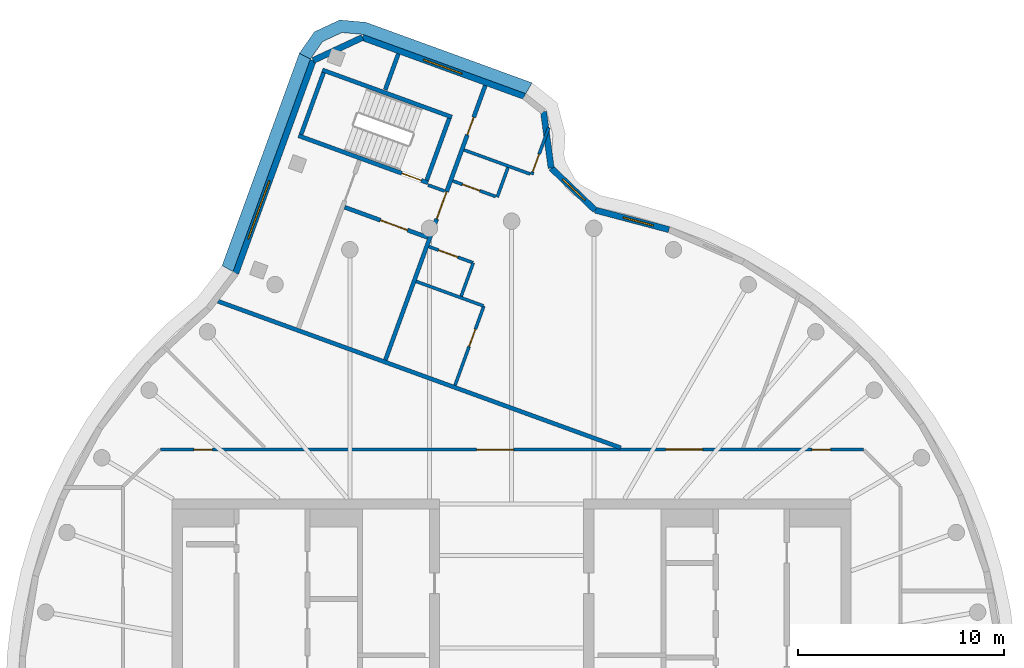
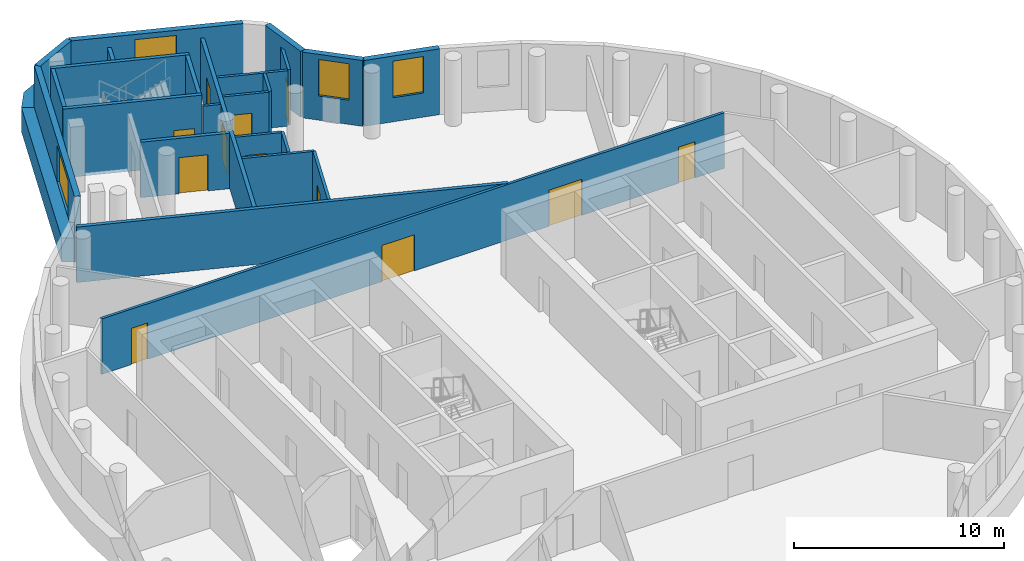
# One storey, part 5 of 7: 25 walls, 12 doors, 4 windows, 2 members, 16 openings.
"""IFC4 building model written with IfcOpenShell, lengths in metres."""

from ifc_helpers import new_model, si_unit, direction, frame, frame_2d, origin, place, context, subcontext, project, spatial, polyline, rectangle, outline, extrude, material, layer, layer_set, type_object, element, fill, aggregate, save


model = new_model("IFC4")

# Units and contexts
model_context = context("Model", 3, precision=1e-05, world=origin(), true_north=direction((0.0, 1.0)))
body_context = subcontext(model_context, "Body", "Model", "MODEL_VIEW")
ifc_project = project(units=[si_unit("LENGTHUNIT", "METRE"), si_unit("AREAUNIT", "SQUARE_METRE"), si_unit("VOLUMEUNIT", "CUBIC_METRE"), si_unit("PLANEANGLEUNIT", "RADIAN"), si_unit("MASSUNIT", "GRAM", prefix="KILO")], contexts=[model_context])

# Member
ifc_material_1 = material(Name="Aluminium and insulated spandrel panel", Category="aluminium")
member_type = type_object("IfcMemberType", Name="Floor-edge blade transom", PredefinedType="USERDEFINED", material=ifc_material_1)
site_placement = place(None, origin())
building_placement = place(site_placement, origin())
storey_placement = place(building_placement, frame((0.0, 0.0, 313.39990234375)))
member_1_placement = place(storey_placement, origin())
member_1 = element("IfcMember", 1, at=member_1_placement, type_object=member_type, Name="CWT-L77-00", ObjectType="TRANSOM", PredefinedType="USERDEFINED", context=body_context, shape_type="SweptSolid", body=[
    extrude(outline(polyline([(0.692626953125, 29.197021484375), (-7.21826171875, 32.076171875), (-8.249755859375, 32.16650390625), (-9.18798828125, 31.728759765625), (-9.78173828125, 30.880859375), (-10.318603515625, 31.16015625), (-9.587158203125, 32.20458984375), (-8.357666015625, 32.778076171875), (-7.08740234375, 32.6669921875), (0.9892578125, 29.7275390625), (0.692626953125, 29.197021484375)])), origin(), (0.0, 0.0, 1.0), 1.400146484375),
])

member_2_placement = place(storey_placement, origin())
member_2 = element("IfcMember", 2, at=member_2_placement, type_object=member_type, Name="CWT-L77-01", ObjectType="TRANSOM", PredefinedType="USERDEFINED", context=body_context, shape_type="SweptSolid", body=[
    extrude(outline(polyline([(-9.78173828125, 30.880859375), (-13.54248046875, 20.54736328125), (-14.07470703125, 20.839599609375), (-10.318603515625, 31.16015625), (-9.78173828125, 30.880859375)])), origin(), (0.0, 0.0, 1.0), 1.400146484375),
])

# Site, building, storey
site = spatial("IfcSite", under=ifc_project, at=site_placement, CompositionType="ELEMENT")
building = spatial("IfcBuilding", under=site, at=building_placement, Name="Tamarind Cross Interchange Tower", CompositionType="ELEMENT")
storey = spatial("IfcBuildingStorey", under=building, at=storey_placement, Name="L77", CompositionType="ELEMENT", Elevation=313.39990234375)

# Wall
ifc_material_2 = material(Name="Gypsum board partition on steel studs", Category="steel")
ifc_layer_1 = layer(ifc_material_2, 0.14990234375)
ifc_layer_set_1 = layer_set([ifc_layer_1], Name="Gypsum board partition on steel studs")
wall_type_1 = type_object("IfcWallType", Name="Partition 150 mm EI 120", PredefinedType="PARTITIONING", material=ifc_layer_set_1)
wall_1_placement = place(storey_placement, frame((-4.639892578125, 20.07080078125, 0.0), z_axis=(0.0, 0.0, 1.0), x_axis=(0.939625353143, -0.342204903138, 0.0)))
element("IfcWall", 3, at=wall_1_placement, inside=storey, type_object=wall_type_1, Name="Partition L77-007", PredefinedType="PARTITIONING", context=body_context, shape_type="SweptSolid", body=[
    extrude(rectangle(XDim=3.480224609375, YDim=0.14990234375, at=frame_2d((1.740234375, 0.0))), origin(), (0.0, 0.0, 1.0), 3.22021484375),
])

# Wall, opening, door
wall_2_placement = place(storey_placement, frame((-4.02392578125, 21.76171875, 0.0), z_axis=(0.0, 0.0, 1.0), x_axis=(0.939640114695, -0.342164368185, 0.0)))
wall_2 = element("IfcWall", 4, at=wall_2_placement, inside=storey, type_object=wall_type_1, Name="Partition L77-008", PredefinedType="PARTITIONING", context=body_context, shape_type="SweptSolid", body=[
    extrude(rectangle(XDim=2.27978515625, YDim=0.14990234375, at=frame_2d((1.139892578125, 0.0))), origin(), (0.0, 0.0, 1.0), 3.22021484375),
])
opening_1_placement = place(wall_2_placement, frame((0.5, 0.0, 0.0)))
opening_1 = element("IfcOpeningElement", 5, at=opening_1_placement, cuts=wall_2, Name="Opening D02", PredefinedType="OPENING", context=body_context, shape_type="SweptSolid", body=[
    extrude(rectangle(XDim=1.0, YDim=2.10009765625, at=frame_2d((0.5, 1.050048828125))), frame((0.0, 0.0849609375, 0.0), z_axis=(0.0, -1.0, 0.0), x_axis=(1.0, 0.0, 0.0)), (0.0, 0.0, 1.0), 0.169921875),
])
ifc_material_3 = material(Name="Fire-resisting door set")
door_type_1 = type_object("IfcDoorType", Name="Interior door 1000 x 2100 FD60S", OperationType="SINGLE_SWING_LEFT", PredefinedType="DOOR", material=ifc_material_3)
door_1_placement = place(opening_1_placement, frame((1.0, 0.0, 0.0), z_axis=(0.0, 0.0, 1.0), x_axis=(-1.0, 0.0, 0.0)))
door_1 = element("IfcDoor", 6, at=door_1_placement, inside=storey, type_object=door_type_1, Name="Door D02", OperationType="SINGLE_SWING_LEFT", OverallHeight=2.10009765625, OverallWidth=1.0, PredefinedType="DOOR", context=body_context, shape_type="SweptSolid", body=[
    extrude(rectangle(XDim=1.0, YDim=2.10009765625, at=frame_2d((0.5, 1.050048828125))), frame((0.0, 0.02490234375, 0.0), z_axis=(0.0, -1.0, 0.0), x_axis=(1.0, 0.0, 0.0)), (0.0, 0.0, 1.0), 0.050048828125),
])
fill(opening_1, door_1)

# Wall
wall_3_placement = place(storey_placement, frame((-4.0634765625, 24.755859375, 0.0), z_axis=(0.0, 0.0, 1.0), x_axis=(0.939710329429, -0.341971485308, 0.0)))
element("IfcWall", 7, at=wall_3_placement, inside=storey, type_object=wall_type_1, Name="Partition L77-009", PredefinedType="PARTITIONING", context=body_context, shape_type="SweptSolid", body=[
    extrude(rectangle(XDim=0.858154296875, YDim=0.14990234375, at=frame_2d((0.42919921875, 0.0))), origin(), (0.0, 0.0, 1.0), 3.22021484375),
])

# Wall, opening, door
wall_4_placement = place(storey_placement, frame((-2.861083984375, 24.956787109375, 0.0), z_axis=(0.0, 0.0, 1.0), x_axis=(0.93968419655, -0.342043287836, 0.0)))
wall_4 = element("IfcWall", 8, at=wall_4_placement, inside=storey, type_object=wall_type_1, Name="Partition L77-010", PredefinedType="PARTITIONING", context=body_context, shape_type="SweptSolid", body=[
    extrude(rectangle(XDim=2.2197265625, YDim=0.14990234375, at=frame_2d((1.10986328125, 0.0))), origin(), (0.0, 0.0, 1.0), 3.22021484375),
])
opening_2_placement = place(wall_4_placement, frame((0.5, 0.0, 0.0)))
opening_2 = element("IfcOpeningElement", 9, at=opening_2_placement, cuts=wall_4, Name="Opening D03", PredefinedType="OPENING", context=body_context, shape_type="SweptSolid", body=[
    extrude(rectangle(XDim=0.89990234375, YDim=2.10009765625, at=frame_2d((0.449951171875, 1.050048828125))), frame((0.0, 0.0849609375, 0.0), z_axis=(0.0, -1.0, 0.0), x_axis=(1.0, 0.0, 0.0)), (0.0, 0.0, 1.0), 0.169921875),
])
door_type_2 = type_object("IfcDoorType", Name="Interior door 900 x 2100 FD60S", OperationType="SINGLE_SWING_LEFT", PredefinedType="DOOR", material=ifc_material_3)
door_2_placement = place(opening_2_placement, origin())
door_2 = element("IfcDoor", 10, at=door_2_placement, inside=storey, type_object=door_type_2, Name="Door D03", OperationType="SINGLE_SWING_RIGHT", OverallHeight=2.10009765625, OverallWidth=0.89990234375, PredefinedType="DOOR", context=body_context, shape_type="SweptSolid", body=[
    extrude(rectangle(XDim=0.89990234375, YDim=2.10009765625, at=frame_2d((0.449951171875, 1.050048828125))), frame((0.0, 0.02490234375, 0.0), z_axis=(0.0, -1.0, 0.0), x_axis=(1.0, 0.0, 0.0)), (0.0, 0.0, 1.0), 0.050048828125),
])
fill(opening_2, door_2)

# Wall
wall_5_placement = place(storey_placement, frame((-2.31396484375, 26.460693359375, 0.0), z_axis=(0.0, 0.0, 1.0), x_axis=(0.939653710072, -0.342127030718, 0.0)))
element("IfcWall", 11, at=wall_5_placement, inside=storey, type_object=wall_type_1, Name="Partition L77-011", PredefinedType="PARTITIONING", context=body_context, shape_type="SweptSolid", body=[
    extrude(rectangle(XDim=3.420166015625, YDim=0.14990234375, at=frame_2d((1.7099609375, 0.0))), origin(), (0.0, 0.0, 1.0), 3.22021484375),
])

# Wall, openings, doors
wall_6_placement = place(storey_placement, frame((-17.06494140625, 11.89990234375, 0.0), z_axis=(0.0, 0.0, 1.0), x_axis=(1.0, 0.0, 0.0)))
wall_6 = element("IfcWall", 12, at=wall_6_placement, inside=storey, type_object=wall_type_1, Name="Partition L77-015", PredefinedType="PARTITIONING", context=body_context, shape_type="SweptSolid", body=[
    extrude(rectangle(XDim=34.1650390625, YDim=0.14990234375, at=frame_2d((17.08251953125, 0.0))), origin(), (0.0, 0.0, 1.0), 3.22021484375),
])
opening_3_placement = place(wall_6_placement, frame((24.5439453125, 0.0, 0.0)))
opening_3 = element("IfcOpeningElement", 13, at=opening_3_placement, cuts=wall_6, Name="Opening D08", PredefinedType="OPENING", context=body_context, shape_type="SweptSolid", body=[
    extrude(rectangle(XDim=1.800048828125, YDim=2.10009765625, at=frame_2d((0.89990234375, 1.050048828125))), frame((0.0, 0.0849609375, 0.0), z_axis=(0.0, -1.0, 0.0), x_axis=(1.0, 0.0, 0.0)), (0.0, 0.0, 1.0), 0.169921875),
])
opening_4_placement = place(wall_6_placement, frame((31.6650390625, 0.0, 0.0)))
opening_4 = element("IfcOpeningElement", 14, at=opening_4_placement, cuts=wall_6, Name="Opening D09", PredefinedType="OPENING", context=body_context, shape_type="SweptSolid", body=[
    extrude(rectangle(XDim=0.89990234375, YDim=2.10009765625, at=frame_2d((0.449951171875, 1.050048828125))), frame((0.0, 0.0849609375, 0.0), z_axis=(0.0, -1.0, 0.0), x_axis=(1.0, 0.0, 0.0)), (0.0, 0.0, 1.0), 0.169921875),
])
opening_5_placement = place(wall_6_placement, frame((1.614990234375, 0.0, 0.0)))
opening_5 = element("IfcOpeningElement", 15, at=opening_5_placement, cuts=wall_6, Name="Opening D10", PredefinedType="OPENING", context=body_context, shape_type="SweptSolid", body=[
    extrude(rectangle(XDim=0.89990234375, YDim=2.10009765625, at=frame_2d((0.449951171875, 1.050048828125))), frame((0.0, 0.0849609375, 0.0), z_axis=(0.0, -1.0, 0.0), x_axis=(1.0, 0.0, 0.0)), (0.0, 0.0, 1.0), 0.169921875),
])
opening_6_placement = place(wall_6_placement, frame((15.364990234375, 0.0, 0.0)))
opening_6 = element("IfcOpeningElement", 16, at=opening_6_placement, cuts=wall_6, Name="Opening D11", PredefinedType="OPENING", context=body_context, shape_type="SweptSolid", body=[
    extrude(rectangle(XDim=1.800048828125, YDim=2.10009765625, at=frame_2d((0.89990234375, 1.050048828125))), frame((0.0, 0.0849609375, 0.0), z_axis=(0.0, -1.0, 0.0), x_axis=(1.0, 0.0, 0.0)), (0.0, 0.0, 1.0), 0.169921875),
])
door_type_3 = type_object("IfcDoorType", Name="Interior door 1800 x 2100 FD60S", OperationType="DOUBLE_DOOR_SINGLE_SWING", PredefinedType="DOOR", material=ifc_material_3)
door_3_placement = place(opening_3_placement, frame((1.800048828125, 0.0, 0.0), z_axis=(0.0, 0.0, 1.0), x_axis=(-1.0, 0.0, 0.0)))
door_3 = element("IfcDoor", 17, at=door_3_placement, inside=storey, type_object=door_type_3, Name="Door D08", OperationType="DOUBLE_DOOR_SINGLE_SWING", OverallHeight=2.10009765625, OverallWidth=1.800048828125, PredefinedType="DOOR", context=body_context, shape_type="SweptSolid", body=[
    extrude(rectangle(XDim=1.800048828125, YDim=2.10009765625, at=frame_2d((0.89990234375, 1.050048828125))), frame((0.0, 0.02490234375, 0.0), z_axis=(0.0, -1.0, 0.0), x_axis=(1.0, 0.0, 0.0)), (0.0, 0.0, 1.0), 0.050048828125),
])
fill(opening_3, door_3)
door_4_placement = place(opening_6_placement, origin())
door_4 = element("IfcDoor", 18, at=door_4_placement, inside=storey, type_object=door_type_3, Name="Door D11", OperationType="DOUBLE_DOOR_SINGLE_SWING", OverallHeight=2.10009765625, OverallWidth=1.800048828125, PredefinedType="DOOR", context=body_context, shape_type="SweptSolid", body=[
    extrude(rectangle(XDim=1.800048828125, YDim=2.10009765625, at=frame_2d((0.89990234375, 1.050048828125))), frame((0.0, 0.02490234375, 0.0), z_axis=(0.0, -1.0, 0.0), x_axis=(1.0, 0.0, 0.0)), (0.0, 0.0, 1.0), 0.050048828125),
])
fill(opening_6, door_4)
door_5_placement = place(opening_4_placement, origin())
door_5 = element("IfcDoor", 19, at=door_5_placement, inside=storey, type_object=door_type_2, Name="Door D09", OperationType="SINGLE_SWING_LEFT", OverallHeight=2.10009765625, OverallWidth=0.89990234375, PredefinedType="DOOR", context=body_context, shape_type="SweptSolid", body=[
    extrude(rectangle(XDim=0.89990234375, YDim=2.10009765625, at=frame_2d((0.449951171875, 1.050048828125))), frame((0.0, 0.02490234375, 0.0), z_axis=(0.0, -1.0, 0.0), x_axis=(1.0, 0.0, 0.0)), (0.0, 0.0, 1.0), 0.050048828125),
])
fill(opening_4, door_5)
door_6_placement = place(opening_5_placement, origin())
door_6 = element("IfcDoor", 20, at=door_6_placement, inside=storey, type_object=door_type_2, Name="Door D10", OperationType="SINGLE_SWING_RIGHT", OverallHeight=2.10009765625, OverallWidth=0.89990234375, PredefinedType="DOOR", context=body_context, shape_type="SweptSolid", body=[
    extrude(rectangle(XDim=0.89990234375, YDim=2.10009765625, at=frame_2d((0.449951171875, 1.050048828125))), frame((0.0, 0.02490234375, 0.0), z_axis=(0.0, -1.0, 0.0), x_axis=(1.0, 0.0, 0.0)), (0.0, 0.0, 1.0), 0.050048828125),
])
fill(opening_5, door_6)

# Wall, opening, door
wall_7_placement = place(storey_placement, frame((-2.752685546875, 15.02099609375, 0.0), z_axis=(0.0, 0.0, 1.0), x_axis=(0.341929559358, 0.939725585709, 0.0)))
wall_7 = element("IfcWall", 21, at=wall_7_placement, inside=storey, type_object=wall_type_1, Name="Partition L77-027", PredefinedType="PARTITIONING", context=body_context, shape_type="SweptSolid", body=[
    extrude(rectangle(XDim=4.09912109375, YDim=0.14990234375, at=frame_2d((2.049560546875, 0.0))), origin(), (0.0, 0.0, 1.0), 3.22021484375),
])
opening_7_placement = place(wall_7_placement, frame((2.0, 0.0, 0.0)))
opening_7 = element("IfcOpeningElement", 22, at=opening_7_placement, cuts=wall_7, Name="Opening D15", PredefinedType="OPENING", context=body_context, shape_type="SweptSolid", body=[
    extrude(rectangle(XDim=0.89990234375, YDim=2.10009765625, at=frame_2d((0.449951171875, 1.050048828125))), frame((0.0, 0.0849609375, 0.0), z_axis=(0.0, -1.0, 0.0), x_axis=(1.0, 0.0, 0.0)), (0.0, 0.0, 1.0), 0.169921875),
])
door_7_placement = place(opening_7_placement, origin())
door_7 = element("IfcDoor", 23, at=door_7_placement, inside=storey, type_object=door_type_2, Name="Door D15", OperationType="SINGLE_SWING_LEFT", OverallHeight=2.10009765625, OverallWidth=0.89990234375, PredefinedType="DOOR", context=body_context, shape_type="SweptSolid", body=[
    extrude(rectangle(XDim=0.89990234375, YDim=2.10009765625, at=frame_2d((0.449951171875, 1.050048828125))), frame((0.0, 0.02490234375, 0.0), z_axis=(0.0, -1.0, 0.0), x_axis=(1.0, 0.0, 0.0)), (0.0, 0.0, 1.0), 0.050048828125),
])
fill(opening_7, door_7)

wall_8_placement = place(storey_placement, frame((0.974609375, 25.26318359375, 0.0), z_axis=(0.0, 0.0, 1.0), x_axis=(0.341863980667, 0.939749444652, 0.0)))
wall_8 = element("IfcWall", 24, at=wall_8_placement, inside=storey, type_object=wall_type_1, Name="Partition L77-028", PredefinedType="PARTITIONING", context=body_context, shape_type="SweptSolid", body=[
    extrude(rectangle(XDim=2.431640625, YDim=0.14990234375, at=frame_2d((1.2158203125, 0.0))), origin(), (0.0, 0.0, 1.0), 3.22021484375),
])
opening_8_placement = place(wall_8_placement, frame((0.14990234375, 0.0, 0.0)))
opening_8 = element("IfcOpeningElement", 25, at=opening_8_placement, cuts=wall_8, Name="Opening D16", PredefinedType="OPENING", context=body_context, shape_type="SweptSolid", body=[
    extrude(rectangle(XDim=0.89990234375, YDim=2.10009765625, at=frame_2d((0.449951171875, 1.050048828125))), frame((0.0, 0.0849609375, 0.0), z_axis=(0.0, -1.0, 0.0), x_axis=(1.0, 0.0, 0.0)), (0.0, 0.0, 1.0), 0.169921875),
])
door_8_placement = place(opening_8_placement, origin())
door_8 = element("IfcDoor", 26, at=door_8_placement, inside=storey, type_object=door_type_2, Name="Door D16", OperationType="SINGLE_SWING_RIGHT", OverallHeight=2.10009765625, OverallWidth=0.89990234375, PredefinedType="DOOR", context=body_context, shape_type="SweptSolid", body=[
    extrude(rectangle(XDim=0.89990234375, YDim=2.10009765625, at=frame_2d((0.449951171875, 1.050048828125))), frame((0.0, 0.02490234375, 0.0), z_axis=(0.0, -1.0, 0.0), x_axis=(1.0, 0.0, 0.0)), (0.0, 0.0, 1.0), 0.050048828125),
])
fill(opening_8, door_8)

# Walls
wall_9_placement = place(storey_placement, frame((-2.452392578125, 19.3544921875, 0.0), z_axis=(0.0, 0.0, 1.0), x_axis=(0.341765797908, 0.939785155969, 0.0)))
element("IfcWall", 27, at=wall_9_placement, inside=storey, type_object=wall_type_1, Name="Partition L77-029", PredefinedType="PARTITIONING", context=body_context, shape_type="SweptSolid", body=[
    extrude(rectangle(XDim=1.724365234375, YDim=0.14990234375, at=frame_2d((0.8623046875, 0.0))), origin(), (0.0, 0.0, 1.0), 3.22021484375),
])
wall_10_placement = place(storey_placement, frame((-0.700927734375, 24.17041015625, 0.0), z_axis=(0.0, 0.0, 1.0), x_axis=(0.341897280994, 0.939737329922, 0.0)))
element("IfcWall", 28, at=wall_10_placement, inside=storey, type_object=wall_type_1, Name="Partition L77-030", PredefinedType="PARTITIONING", context=body_context, shape_type="SweptSolid", body=[
    extrude(rectangle(XDim=1.525146484375, YDim=0.14990234375, at=frame_2d((0.7626953125, 0.0))), origin(), (0.0, 0.0, 1.0), 3.22021484375),
])
ifc_layer_2 = layer(ifc_material_2, 0.199951171875)
ifc_layer_set_2 = layer_set([ifc_layer_2], Name="Gypsum board partition on steel studs")
wall_type_2 = type_object("IfcWallType", Name="Partition 200 mm EI 180", PredefinedType="PARTITIONING", material=ifc_layer_set_2)
wall_11_placement = place(storey_placement, frame((-14.27099609375, 19.105712890625, 0.0), z_axis=(0.0, 0.0, 1.0), x_axis=(0.939707843555, -0.341978316216, 0.0)))
element("IfcWall", 29, at=wall_11_placement, inside=storey, type_object=wall_type_2, Name="Partition L77-005", PredefinedType="PARTITIONING", context=body_context, shape_type="SweptSolid", body=[
    extrude(rectangle(XDim=20.830322265625, YDim=0.199951171875, at=frame_2d((10.4150390625, 0.0))), origin(), (0.0, 0.0, 1.0), 3.22021484375),
])

# Wall, opening, door
wall_12_placement = place(storey_placement, frame((-8.115966796875, 23.6767578125, 0.0), z_axis=(0.0, 0.0, 1.0), x_axis=(0.939720382498, -0.341943859016, 0.0)))
wall_12 = element("IfcWall", 30, at=wall_12_placement, inside=storey, type_object=wall_type_2, Name="Partition L77-006", PredefinedType="PARTITIONING", context=body_context, shape_type="SweptSolid", body=[
    extrude(rectangle(XDim=4.29541015625, YDim=0.199951171875, at=frame_2d((2.147705078125, 0.0))), origin(), (0.0, 0.0, 1.0), 3.22021484375),
])
opening_9_placement = place(wall_12_placement, frame((1.85009765625, 0.0, 0.0)))
opening_9 = element("IfcOpeningElement", 31, at=opening_9_placement, cuts=wall_12, Name="Opening D01", PredefinedType="OPENING", context=body_context, shape_type="SweptSolid", body=[
    extrude(rectangle(XDim=1.39990234375, YDim=2.10009765625, at=frame_2d((0.699951171875, 1.050048828125))), frame((0.0, 0.10986328125, 0.0), z_axis=(0.0, -1.0, 0.0), x_axis=(1.0, 0.0, 0.0)), (0.0, 0.0, 1.0), 0.219970703125),
])
door_type_4 = type_object("IfcDoorType", Name="Interior door 1400 x 2100 FD120S", OperationType="DOUBLE_DOOR_SINGLE_SWING", PredefinedType="DOOR", material=ifc_material_3)
door_9_placement = place(opening_9_placement, frame((1.39990234375, 0.0, 0.0), z_axis=(0.0, 0.0, 1.0), x_axis=(-1.0, 0.0, 0.0)))
door_9 = element("IfcDoor", 32, at=door_9_placement, inside=storey, type_object=door_type_4, Name="Door D01", OperationType="DOUBLE_DOOR_SINGLE_SWING", OverallHeight=2.10009765625, OverallWidth=1.39990234375, PredefinedType="DOOR", context=body_context, shape_type="SweptSolid", body=[
    extrude(rectangle(XDim=1.39990234375, YDim=2.10009765625, at=frame_2d((0.699951171875, 1.050048828125))), frame((0.0, 0.02490234375, 0.0), z_axis=(0.0, -1.0, 0.0), x_axis=(1.0, 0.0, 0.0)), (0.0, 0.0, 1.0), 0.050048828125),
])
fill(opening_9, door_9)

# Walls
wall_13_placement = place(storey_placement, frame((-6.14404296875, 29.38720703125, 0.0), z_axis=(0.0, 0.0, 1.0), x_axis=(0.342080568825, 0.939670625502, 0.0)))
element("IfcWall", 33, at=wall_13_placement, inside=storey, type_object=wall_type_2, Name="Partition L77-024", PredefinedType="PARTITIONING", context=body_context, shape_type="SweptSolid", body=[
    extrude(rectangle(XDim=1.8583984375, YDim=0.199951171875, at=frame_2d((0.92919921875, 0.0))), origin(), (0.0, 0.0, 1.0), 3.22021484375),
])
wall_14_placement = place(storey_placement, frame((-6.1357421875, 16.251953125, 0.0), z_axis=(0.0, 0.0, 1.0), x_axis=(0.341890434998, 0.939739820619, 0.0)))
element("IfcWall", 34, at=wall_14_placement, inside=storey, type_object=wall_type_2, Name="Partition L77-025", PredefinedType="PARTITIONING", context=body_context, shape_type="SweptSolid", body=[
    extrude(rectangle(XDim=6.517578125, YDim=0.199951171875, at=frame_2d((3.2587890625, 0.0))), origin(), (0.0, 0.0, 1.0), 3.22021484375),
])

# Wall, openings, doors
wall_15_placement = place(storey_placement, frame((-3.753662109375, 22.799560546875, 0.0), z_axis=(0.0, 0.0, 1.0), x_axis=(0.341897570455, 0.93973722461, 0.0)))
wall_15 = element("IfcWall", 35, at=wall_15_placement, inside=storey, type_object=wall_type_2, Name="Partition L77-026", PredefinedType="PARTITIONING", context=body_context, shape_type="SweptSolid", body=[
    extrude(rectangle(XDim=7.2314453125, YDim=0.199951171875, at=frame_2d((3.61572265625, 0.0))), origin(), (0.0, 0.0, 1.0), 3.22021484375),
])
opening_10_placement = place(wall_15_placement, frame((0.332275390625, 0.0, 0.0)))
opening_10 = element("IfcOpeningElement", 36, at=opening_10_placement, cuts=wall_15, Name="Opening D13", PredefinedType="OPENING", context=body_context, shape_type="SweptSolid", body=[
    extrude(rectangle(XDim=1.39990234375, YDim=2.10009765625, at=frame_2d((0.699951171875, 1.050048828125))), frame((0.0, 0.10986328125, 0.0), z_axis=(0.0, -1.0, 0.0), x_axis=(1.0, 0.0, 0.0)), (0.0, 0.0, 1.0), 0.219970703125),
])
opening_11_placement = place(wall_15_placement, frame((4.6826171875, 0.0, 0.0)))
opening_11 = element("IfcOpeningElement", 37, at=opening_11_placement, cuts=wall_15, Name="Opening D14", PredefinedType="OPENING", context=body_context, shape_type="SweptSolid", body=[
    extrude(rectangle(XDim=0.89990234375, YDim=2.10009765625, at=frame_2d((0.449951171875, 1.050048828125))), frame((0.0, 0.10986328125, 0.0), z_axis=(0.0, -1.0, 0.0), x_axis=(1.0, 0.0, 0.0)), (0.0, 0.0, 1.0), 0.219970703125),
])
door_10_placement = place(opening_10_placement, frame((1.39990234375, 0.0, 0.0), z_axis=(0.0, 0.0, 1.0), x_axis=(-1.0, 0.0, 0.0)))
door_10 = element("IfcDoor", 38, at=door_10_placement, inside=storey, type_object=door_type_4, Name="Door D13", OperationType="DOUBLE_DOOR_SINGLE_SWING", OverallHeight=2.10009765625, OverallWidth=1.39990234375, PredefinedType="DOOR", context=body_context, shape_type="SweptSolid", body=[
    extrude(rectangle(XDim=1.39990234375, YDim=2.10009765625, at=frame_2d((0.699951171875, 1.050048828125))), frame((0.0, 0.02490234375, 0.0), z_axis=(0.0, -1.0, 0.0), x_axis=(1.0, 0.0, 0.0)), (0.0, 0.0, 1.0), 0.050048828125),
])
fill(opening_10, door_10)
door_type_5 = type_object("IfcDoorType", Name="Interior door 900 x 2100 FD120S", OperationType="SINGLE_SWING_LEFT", PredefinedType="DOOR", material=ifc_material_3)
door_11_placement = place(opening_11_placement, origin())
door_11 = element("IfcDoor", 39, at=door_11_placement, inside=storey, type_object=door_type_5, Name="Door D14", OperationType="SINGLE_SWING_LEFT", OverallHeight=2.10009765625, OverallWidth=0.89990234375, PredefinedType="DOOR", context=body_context, shape_type="SweptSolid", body=[
    extrude(rectangle(XDim=0.89990234375, YDim=2.10009765625, at=frame_2d((0.449951171875, 1.050048828125))), frame((0.0, 0.02490234375, 0.0), z_axis=(0.0, -1.0, 0.0), x_axis=(1.0, 0.0, 0.0)), (0.0, 0.0, 1.0), 0.050048828125),
])
fill(opening_11, door_11)

# Wall, opening, window
ifc_material_4 = material(Name="Precast concrete C40", Category="concrete")
ifc_layer_3 = layer(ifc_material_4, 0.300048828125)
ifc_layer_set_3 = layer_set([ifc_layer_3], Name="Precast concrete C40")
wall_type_3 = type_object("IfcWallType", Name="Plant louvre wall", PredefinedType="SOLIDWALL", material=ifc_layer_set_3)
wall_16_placement = place(storey_placement, frame((0.61865234375, 29.064453125, 0.0), z_axis=(0.0, 0.0, 1.0), x_axis=(-0.93970742794, 0.341979458265, 0.0)))
wall_16 = element("IfcWall", 40, at=wall_16_placement, inside=storey, type_object=wall_type_3, Name="EXW-L77-00-00", PredefinedType="SOLIDWALL", context=body_context, shape_type="SweptSolid", body=[
    extrude(rectangle(XDim=8.374755859375, YDim=0.300048828125, at=frame_2d((4.1875, 0.0))), origin(), (0.0, 0.0, 1.0), 3.820068359375),
])
opening_12_placement = place(wall_16_placement, frame((3.216796875, 0.0, 1.39990234375)))
opening_12 = element("IfcOpeningElement", 41, at=opening_12_placement, cuts=wall_16, Name="Opening W2", PredefinedType="OPENING", context=body_context, shape_type="SweptSolid", body=[
    extrude(rectangle(XDim=1.998291015625, YDim=2.1201171875, at=frame_2d((0.9990234375, 1.06005859375))), frame((0.0, 0.159912109375, 0.0), z_axis=(0.0, -1.0, 0.0), x_axis=(1.0, 0.0, 0.0)), (0.0, 0.0, 1.0), 0.320068359375),
])
ifc_material_5 = material(Name="Aluminium louvre", Category="aluminium")
window_type = type_object("IfcWindowType", Name="Plant louvre bank", PartitioningType="SINGLE_PANEL", PredefinedType="WINDOW", material=ifc_material_5)
window_1_placement = place(opening_12_placement, origin())
window_1 = element("IfcWindow", 42, at=window_1_placement, inside=storey, type_object=window_type, Name="WIN-L77-00-00", OverallHeight=2.1201171875, OverallWidth=1.998291015625, PartitioningType="SINGLE_PANEL", PredefinedType="WINDOW", context=body_context, shape_type="SweptSolid", body=[
    extrude(rectangle(XDim=1.998291015625, YDim=2.1201171875, at=frame_2d((0.9990234375, 1.06005859375))), frame((0.0, 0.030029296875, 0.0), z_axis=(0.0, -1.0, 0.0), x_axis=(1.0, 0.0, 0.0)), (0.0, 0.0, 1.0), 0.06005859375),
])
fill(opening_12, window_1)

aggregate(wall_16, [member_1])

# Wall
wall_17_placement = place(storey_placement, frame((-7.251220703125, 31.928466796875, 0.0), z_axis=(0.0, 0.0, 1.0), x_axis=(-0.906301055213, -0.422632697882, 0.0)))
element("IfcWall", 43, at=wall_17_placement, inside=storey, type_object=wall_type_3, Name="EXW-L77-00-01", PredefinedType="SOLIDWALL", context=body_context, shape_type="SweptSolid", body=[
    extrude(rectangle(XDim=2.64404296875, YDim=0.300048828125, at=frame_2d((1.322021484375, 0.0))), origin(), (0.0, 0.0, 1.0), 3.820068359375),
])

# Wall, opening, window
wall_18_placement = place(storey_placement, frame((-9.6474609375, 30.81103515625, 0.0), z_axis=(0.0, 0.0, 1.0), x_axis=(-0.341997884375, -0.939700722083, 0.0)))
wall_18 = element("IfcWall", 44, at=wall_18_placement, inside=storey, type_object=wall_type_3, Name="EXW-L77-01-00", PredefinedType="SOLIDWALL", context=body_context, shape_type="SweptSolid", body=[
    extrude(rectangle(XDim=11.0, YDim=0.300048828125, at=frame_2d((5.5, 0.0))), origin(), (0.0, 0.0, 1.0), 3.820068359375),
])
opening_13_placement = place(wall_18_placement, frame((6.230224609375, 0.0, 1.39990234375)))
opening_13 = element("IfcOpeningElement", 45, at=opening_13_placement, cuts=wall_18, Name="Opening W2", PredefinedType="OPENING", context=body_context, shape_type="SweptSolid", body=[
    extrude(rectangle(XDim=3.0, YDim=2.1201171875, at=frame_2d((1.5, 1.06005859375))), frame((0.0, 0.159912109375, 0.0), z_axis=(0.0, -1.0, 0.0), x_axis=(1.0, 0.0, 0.0)), (0.0, 0.0, 1.0), 0.320068359375),
])
window_2_placement = place(opening_13_placement, origin())
window_2 = element("IfcWindow", 46, at=window_2_placement, inside=storey, type_object=window_type, Name="WIN-L77-01-00", OverallHeight=2.1201171875, OverallWidth=3.0, PartitioningType="SINGLE_PANEL", PredefinedType="WINDOW", context=body_context, shape_type="SweptSolid", body=[
    extrude(rectangle(XDim=3.0, YDim=2.1201171875, at=frame_2d((1.5, 1.06005859375))), frame((0.0, 0.030029296875, 0.0), z_axis=(0.0, -1.0, 0.0), x_axis=(1.0, 0.0, 0.0)), (0.0, 0.0, 1.0), 0.06005859375),
])
fill(opening_13, window_2)

aggregate(wall_18, [member_2])

wall_19_placement = place(storey_placement, frame((7.6455078125, 22.5869140625, 0.0), z_axis=(0.0, 0.0, 1.0), x_axis=(-0.96658946477, 0.256329488347, 0.0)))
wall_19 = element("IfcWall", 47, at=wall_19_placement, inside=storey, type_object=wall_type_3, Name="EXW-L77-02-33", PredefinedType="SOLIDWALL", context=body_context, shape_type="SweptSolid", body=[
    extrude(rectangle(XDim=3.716552734375, YDim=0.300048828125, at=frame_2d((1.8583984375, 0.0))), origin(), (0.0, 0.0, 1.0), 3.820068359375),
])
opening_14_placement = place(wall_19_placement, frame((0.786865234375, 0.0, 1.39990234375)))
opening_14 = element("IfcOpeningElement", 48, at=opening_14_placement, cuts=wall_19, Name="Opening W2", PredefinedType="OPENING", context=body_context, shape_type="SweptSolid", body=[
    extrude(rectangle(XDim=1.509033203125, YDim=2.1201171875, at=frame_2d((0.75439453125, 1.06005859375))), frame((0.0, 0.159912109375, 0.0), z_axis=(0.0, -1.0, 0.0), x_axis=(1.0, 0.0, 0.0)), (0.0, 0.0, 1.0), 0.320068359375),
])
window_3_placement = place(opening_14_placement, origin())
window_3 = element("IfcWindow", 49, at=window_3_placement, inside=storey, type_object=window_type, Name="WIN-L77-02-33", OverallHeight=2.1201171875, OverallWidth=1.509033203125, PartitioningType="SINGLE_PANEL", PredefinedType="WINDOW", context=body_context, shape_type="SweptSolid", body=[
    extrude(rectangle(XDim=1.509033203125, YDim=2.1201171875, at=frame_2d((0.75439453125, 1.06005859375))), frame((0.0, 0.030029296875, 0.0), z_axis=(0.0, -1.0, 0.0), x_axis=(1.0, 0.0, 0.0)), (0.0, 0.0, 1.0), 0.06005859375),
])
fill(opening_14, window_3)

wall_20_placement = place(storey_placement, frame((4.05322265625, 23.53955078125, 0.0), z_axis=(0.0, 0.0, 1.0), x_axis=(-0.721986485098, 0.691907158032, 0.0)))
wall_20 = element("IfcWall", 50, at=wall_20_placement, inside=storey, type_object=wall_type_3, Name="EXW-L77-02-34", PredefinedType="SOLIDWALL", context=body_context, shape_type="SweptSolid", body=[
    extrude(rectangle(XDim=2.954345703125, YDim=0.300048828125, at=frame_2d((1.47705078125, 0.0))), origin(), (0.0, 0.0, 1.0), 3.820068359375),
])
opening_15_placement = place(wall_20_placement, frame((0.677734375, 0.0, 1.39990234375)))
opening_15 = element("IfcOpeningElement", 51, at=opening_15_placement, cuts=wall_20, Name="Opening W2", PredefinedType="OPENING", context=body_context, shape_type="SweptSolid", body=[
    extrude(rectangle(XDim=1.487548828125, YDim=2.1201171875, at=frame_2d((0.74365234375, 1.06005859375))), frame((0.0, 0.159912109375, 0.0), z_axis=(0.0, -1.0, 0.0), x_axis=(1.0, 0.0, 0.0)), (0.0, 0.0, 1.0), 0.320068359375),
])
window_4_placement = place(opening_15_placement, origin())
window_4 = element("IfcWindow", 52, at=window_4_placement, inside=storey, type_object=window_type, Name="WIN-L77-02-34", OverallHeight=2.1201171875, OverallWidth=1.487548828125, PartitioningType="SINGLE_PANEL", PredefinedType="WINDOW", context=body_context, shape_type="SweptSolid", body=[
    extrude(rectangle(XDim=1.487548828125, YDim=2.1201171875, at=frame_2d((0.74365234375, 1.06005859375))), frame((0.0, 0.030029296875, 0.0), z_axis=(0.0, -1.0, 0.0), x_axis=(1.0, 0.0, 0.0)), (0.0, 0.0, 1.0), 0.06005859375),
])
fill(opening_15, window_4)

# Wall
wall_21_placement = place(storey_placement, frame((1.920166015625, 25.583740234375, 0.0), z_axis=(0.0, 0.0, 1.0), x_axis=(-0.133683682647, 0.991024052682, 0.0)))
element("IfcWall", 53, at=wall_21_placement, inside=storey, type_object=wall_type_3, Name="EXW-L77-02-35", PredefinedType="SOLIDWALL", context=body_context, shape_type="SweptSolid", body=[
    extrude(rectangle(XDim=2.766845703125, YDim=0.300048828125, at=frame_2d((1.38330078125, 0.0))), origin(), (0.0, 0.0, 1.0), 3.820068359375),
])

# Wall, opening, door
ifc_material_6 = material(Name="Concrete C40", Category="concrete")
ifc_layer_4 = layer(ifc_material_6, 0.199951171875)
ifc_layer_set_4 = layer_set([ifc_layer_4], Name="Concrete C40")
wall_type_4 = type_object("IfcWallType", Name="Stair shaft wall 200 mm Concrete C40", PredefinedType="SHEAR", material=ifc_layer_set_4)
wall_22_placement = place(storey_placement, frame((-4.06591796875, 24.86328125, -0.179931640625), z_axis=(0.0, 0.0, 1.0), x_axis=(-0.939709347419, 0.341974183781, 0.0)))
wall_22 = element("IfcWall", 54, at=wall_22_placement, inside=storey, type_object=wall_type_4, Name="Core wall CWL-L77-ST4-H", PredefinedType="SHEAR", context=body_context, shape_type="SweptSolid", body=[
    extrude(rectangle(XDim=6.7001953125, YDim=0.199951171875, at=frame_2d((3.35009765625, 0.0))), origin(), (0.0, 0.0, 1.0), 4.0),
])
opening_16_placement = place(wall_22_placement, frame((0.35009765625, 0.0, 0.0)))
opening_16 = element("IfcOpeningElement", 55, at=opening_16_placement, cuts=wall_22, Name="Opening ST4L77", PredefinedType="OPENING", context=body_context, shape_type="SweptSolid", body=[
    extrude(rectangle(XDim=1.0, YDim=2.10009765625, at=frame_2d((0.5, 1.050048828125))), frame((0.0, 0.10986328125, 0.0), z_axis=(0.0, -1.0, 0.0), x_axis=(1.0, 0.0, 0.0)), (0.0, 0.0, 1.0), 0.219970703125),
])
ifc_material_7 = material(Name="Steel, fire-resisting", Category="steel")
door_type_6 = type_object("IfcDoorType", Name="Core fire door 1000 x 2100 FD90", OperationType="SINGLE_SWING_LEFT", PredefinedType="DOOR", material=ifc_material_7)
door_12_placement = place(opening_16_placement, origin())
door_12 = element("IfcDoor", 56, at=door_12_placement, inside=storey, type_object=door_type_6, Name="L77 stair door ST4", OperationType="SINGLE_SWING_LEFT", OverallHeight=2.10009765625, OverallWidth=1.0, PredefinedType="DOOR", context=body_context, shape_type="SweptSolid", body=[
    extrude(rectangle(XDim=1.0, YDim=2.10009765625, at=frame_2d((0.5, 1.050048828125))), frame((0.0, 0.02490234375, 0.0), z_axis=(0.0, -1.0, 0.0), x_axis=(1.0, 0.0, 0.0)), (0.0, 0.0, 1.0), 0.050048828125),
])
fill(opening_16, door_12)

# Walls
wall_23_placement = place(storey_placement, frame((-2.9033203125, 28.05810546875, -0.179931640625), z_axis=(0.0, 0.0, 1.0), x_axis=(-0.939693375008, 0.342018071111, 0.0)))
element("IfcWall", 57, at=wall_23_placement, inside=storey, type_object=wall_type_4, Name="Core wall CWL-L77-ST4-C", PredefinedType="SHEAR", context=body_context, shape_type="SweptSolid", body=[
    extrude(rectangle(XDim=6.699951171875, YDim=0.199951171875, at=frame_2d((3.35009765625, 0.0))), origin(), (0.0, 0.0, 1.0), 4.0),
])
wall_24_placement = place(storey_placement, frame((-3.031494140625, 27.998291015625, -0.179931640625), z_axis=(0.0, 0.0, 1.0), x_axis=(-0.341975850632, -0.939708740826, 0.0)))
element("IfcWall", 58, at=wall_24_placement, inside=storey, type_object=wall_type_4, Name="Core wall CWL-L77-ST4-CE", PredefinedType="SHEAR", context=body_context, shape_type="SweptSolid", body=[
    extrude(rectangle(XDim=3.19970703125, YDim=0.199951171875, at=frame_2d((1.599853515625, 0.0))), origin(), (0.0, 0.0, 1.0), 4.0),
])
wall_25_placement = place(storey_placement, frame((0.0, 0.0, -0.179931640625)))
element("IfcWall", 59, at=wall_25_placement, inside=storey, type_object=wall_type_4, Name="Core wall CWL-L77-ST4-CF", PredefinedType="SHEAR", context=body_context, shape_type="SweptSolid", body=[
    extrude(outline(polyline([(-9.04541015625, 30.187255859375), (-9.2333984375, 30.255615234375), (-10.327880859375, 27.24853515625), (-10.139892578125, 27.18017578125), (-9.04541015625, 30.187255859375)])), origin(), (0.0, 0.0, 1.0), 4.0),
])

save(model, "model.ifc")
